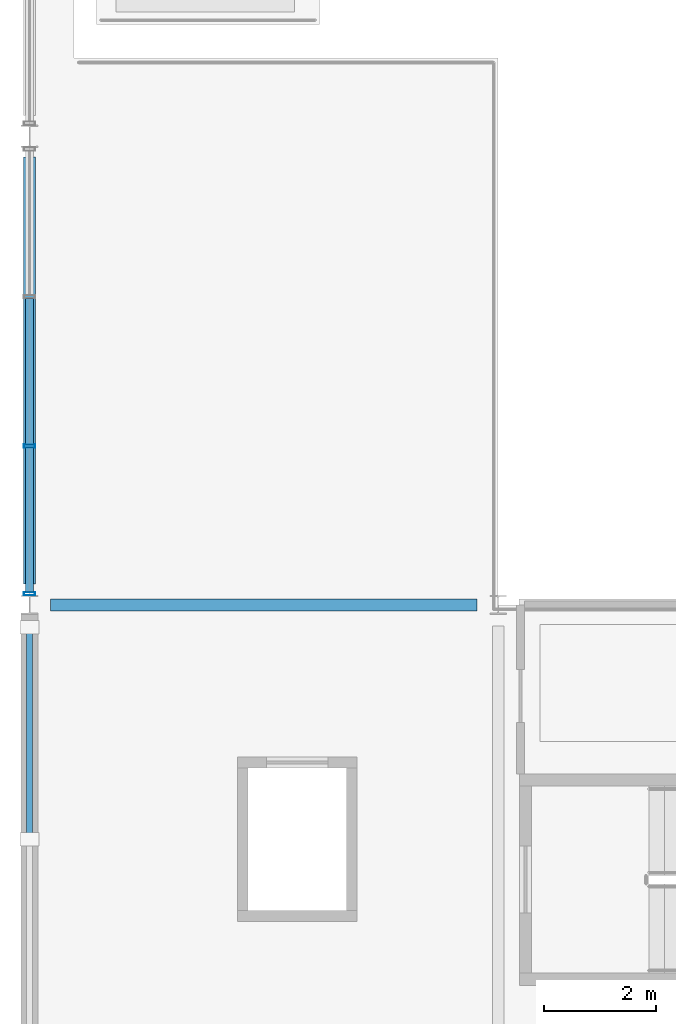
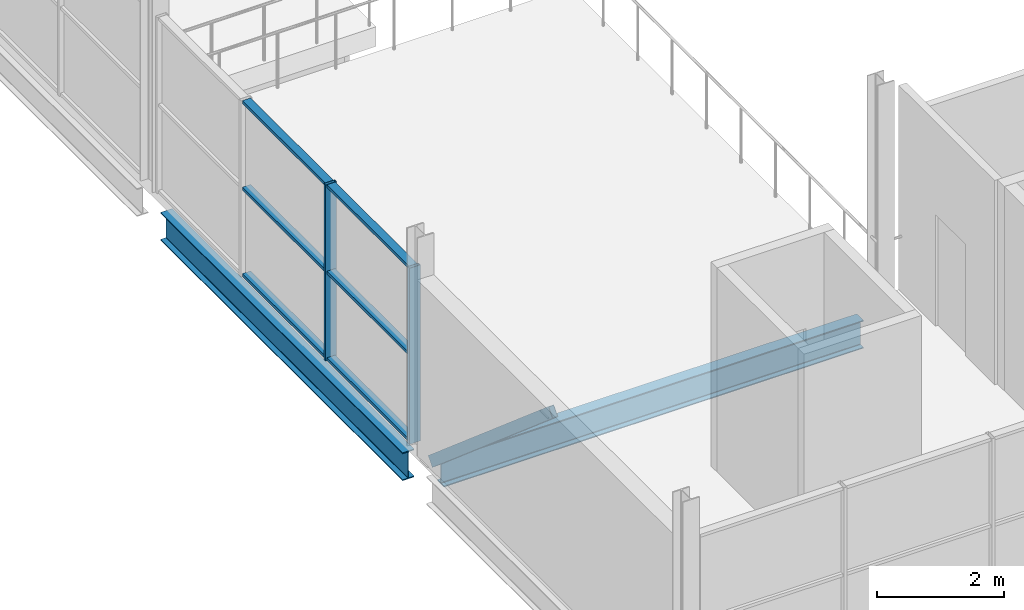
# One storey, part 24 of 161: 9 members, 2 beams, 1 element without a shape of its own.
"""IFC4 building model written with IfcOpenShell, lengths in metres."""

from ifc_helpers import new_model, si_unit, direction, frame, origin, origin_2d, place, context, subcontext, project, spatial, hollow_rectangle, i_section, extrude, material, material_profile, profile_set, type_object, element, aggregate, save


model = new_model("IFC4")

# Units and contexts
model_context = context("Model", 3, precision=1e-05, world=origin(), true_north=direction((0.0, 1.0)))
body_context = subcontext(model_context, "Body", "Model", "MODEL_VIEW")
ifc_project = project(units=[si_unit("LENGTHUNIT", "METRE"), si_unit("AREAUNIT", "SQUARE_METRE"), si_unit("VOLUMEUNIT", "CUBIC_METRE"), si_unit("PLANEANGLEUNIT", "RADIAN"), si_unit("MASSUNIT", "GRAM", prefix="KILO"), si_unit("THERMODYNAMICTEMPERATUREUNIT", "KELVIN")], contexts=[model_context])

# Site, building, storey
site_placement = place(None, origin())
site = spatial("IfcSite", under=ifc_project, at=site_placement, CompositionType="ELEMENT")
building_placement = place(site_placement, origin())
building = spatial("IfcBuilding", under=site, at=building_placement, Name="Nduvali Passage Aquatics Centre", CompositionType="ELEMENT")
storey_placement = place(building_placement, frame((0.0, 0.0, 4.800048828125)))
storey = spatial("IfcBuildingStorey", under=building, at=storey_placement, Name="L01", CompositionType="ELEMENT", Elevation=4.800048828125)

# Curtain wall, members
ifc_material_1 = material(Name="Aluminium EN AW-6063 T6", Category="aluminium")
curtain_wall_type = type_object("IfcCurtainWallType", Name="ENV-CW-DIVE", PredefinedType="NOTDEFINED", material=ifc_material_1)
curtain_wall_placement = place(storey_placement, origin())
curtain_wall = element("IfcCurtainWall", 1, at=curtain_wall_placement, inside=storey, type_object=curtain_wall_type, Name="L01 West Diving Tower Viewing CW 128", PredefinedType="NOTDEFINED")
ifc_material_profile_1 = material_profile(ifc_material_1, hollow_rectangle(XDim=0.06005859375, YDim=0.199951171875, WallThickness=0.00390625, at=origin_2d()), Name="ALU MULLION 60x200x4")
ifc_profile_set_1 = profile_set([ifc_material_profile_1], Name="Aluminium EN AW-6063 T6")
member_type_1 = type_object("IfcMemberType", Name="ENV-MEM-MUL80", PredefinedType="MULLION", material=ifc_profile_set_1)
member_1_placement = place(storey_placement, frame((0.0, 42.199951171875, 0.0), z_axis=(0.0, 0.0, 1.0), x_axis=(0.0, 1.0, 0.0)))
member_1 = element("IfcMember", 2, at=member_1_placement, type_object=member_type_1, Name="West Diving Tower Viewing CW Mullion 1", PredefinedType="MULLION", context=body_context, shape_type="SweptSolid", body=[
    extrude(hollow_rectangle(XDim=0.06005859375, YDim=0.199951171875, WallThickness=0.00390625, at=origin_2d()), origin(), (0.0, 0.0, 1.0), 3.396484375),
])
member_2_placement = place(storey_placement, frame((0.0, 44.8466796875, 0.0), z_axis=(0.0, 0.0, 1.0), x_axis=(0.0, 1.0, 0.0)))
member_2 = element("IfcMember", 3, at=member_2_placement, type_object=member_type_1, Name="West Diving Tower Viewing CW Mullion 2", PredefinedType="MULLION", context=body_context, shape_type="SweptSolid", body=[
    extrude(hollow_rectangle(XDim=0.06005859375, YDim=0.199951171875, WallThickness=0.00390625, at=origin_2d()), origin(), (0.0, 0.0, 1.0), 3.396484375),
])
ifc_material_profile_2 = material_profile(ifc_material_1, hollow_rectangle(XDim=0.14990234375, YDim=0.06005859375, WallThickness=0.00390625, at=origin_2d()), Name="ALU TRANSOM 150x60x4")
ifc_profile_set_2 = profile_set([ifc_material_profile_2], Name="Aluminium EN AW-6063 T6")
member_type_2 = type_object("IfcMemberType", Name="ENV-MEM-TRN80", PredefinedType="USERDEFINED", material=ifc_profile_set_2)
member_3_placement = place(storey_placement, frame((0.0, 42.22998046875, 0.030029296875), z_axis=(0.0, 1.0, 0.0), x_axis=(-1.0, 0.0, 0.0)))
member_3 = element("IfcMember", 4, at=member_3_placement, type_object=member_type_2, Name="West Diving Tower Viewing CW Transom B1-R0", ObjectType="TRANSOM", PredefinedType="USERDEFINED", context=body_context, shape_type="SweptSolid", body=[
    extrude(hollow_rectangle(XDim=0.14990234375, YDim=0.06005859375, WallThickness=0.00390625, at=origin_2d()), origin(), (0.0, 0.0, 1.0), 2.586669921875),
])
member_4_placement = place(storey_placement, frame((0.0, 42.22998046875, 1.6982421875), z_axis=(0.0, 1.0, 0.0), x_axis=(-1.0, 0.0, 0.0)))
member_4 = element("IfcMember", 5, at=member_4_placement, type_object=member_type_2, Name="West Diving Tower Viewing CW Transom B1-R1", ObjectType="TRANSOM", PredefinedType="USERDEFINED", context=body_context, shape_type="SweptSolid", body=[
    extrude(hollow_rectangle(XDim=0.14990234375, YDim=0.06005859375, WallThickness=0.00390625, at=origin_2d()), origin(), (0.0, 0.0, 1.0), 2.586669921875),
])
member_5_placement = place(storey_placement, frame((0.0, 42.22998046875, 3.366455078125), z_axis=(0.0, 1.0, 0.0), x_axis=(-1.0, 0.0, 0.0)))
member_5 = element("IfcMember", 6, at=member_5_placement, type_object=member_type_2, Name="West Diving Tower Viewing CW Transom B1-R2", ObjectType="TRANSOM", PredefinedType="USERDEFINED", context=body_context, shape_type="SweptSolid", body=[
    extrude(hollow_rectangle(XDim=0.14990234375, YDim=0.06005859375, WallThickness=0.00390625, at=origin_2d()), origin(), (0.0, 0.0, 1.0), 2.586669921875),
])
member_6_placement = place(storey_placement, frame((0.0, 44.876708984375, 0.030029296875), z_axis=(0.0, 1.0, 0.0), x_axis=(-1.0, 0.0, 0.0)))
member_6 = element("IfcMember", 7, at=member_6_placement, type_object=member_type_2, Name="West Diving Tower Viewing CW Transom B2-R0", ObjectType="TRANSOM", PredefinedType="USERDEFINED", context=body_context, shape_type="SweptSolid", body=[
    extrude(hollow_rectangle(XDim=0.14990234375, YDim=0.06005859375, WallThickness=0.00390625, at=origin_2d()), origin(), (0.0, 0.0, 1.0), 2.61669921875),
])
member_7_placement = place(storey_placement, frame((0.0, 44.876708984375, 1.6982421875), z_axis=(0.0, 1.0, 0.0), x_axis=(-1.0, 0.0, 0.0)))
member_7 = element("IfcMember", 8, at=member_7_placement, type_object=member_type_2, Name="West Diving Tower Viewing CW Transom B2-R1", ObjectType="TRANSOM", PredefinedType="USERDEFINED", context=body_context, shape_type="SweptSolid", body=[
    extrude(hollow_rectangle(XDim=0.14990234375, YDim=0.06005859375, WallThickness=0.00390625, at=origin_2d()), origin(), (0.0, 0.0, 1.0), 2.61669921875),
])
member_8_placement = place(storey_placement, frame((0.0, 44.876708984375, 3.366455078125), z_axis=(0.0, 1.0, 0.0), x_axis=(-1.0, 0.0, 0.0)))
member_8 = element("IfcMember", 9, at=member_8_placement, type_object=member_type_2, Name="West Diving Tower Viewing CW Transom B2-R2", ObjectType="TRANSOM", PredefinedType="USERDEFINED", context=body_context, shape_type="SweptSolid", body=[
    extrude(hollow_rectangle(XDim=0.14990234375, YDim=0.06005859375, WallThickness=0.00390625, at=origin_2d()), origin(), (0.0, 0.0, 1.0), 2.61669921875),
])
aggregate(curtain_wall, [member_1, member_2, member_3, member_4, member_5, member_6, member_7, member_8])

# Beams
ifc_material_2 = material(Name="Steel S355", Category="steel")
ifc_material_profile_3 = material_profile(ifc_material_2, i_section(OverallWidth=0.210693359375, OverallDepth=0.53955078125, WebThickness=0.01171875, FlangeThickness=0.018798828125, FilletRadius=0.0126953125, at=origin_2d()), Name="UKB 533x210x109")
ifc_profile_set_3 = profile_set([ifc_material_profile_3], Name="Steel S355")
beam_type_1 = type_object("IfcBeamType", Name="STR-BM-UKB533", PredefinedType="BEAM", material=ifc_profile_set_3)
beam_1_placement = place(storey_placement, frame((0.375, 42.0, -0.553955078125), z_axis=(1.0, 0.0, 0.0), x_axis=(0.0, 1.0, 0.0)))
element("IfcBeam", 10, at=beam_1_placement, inside=storey, type_object=beam_type_1, Name="L01 Primary X-Girder B6-0472", PredefinedType="BEAM", context=body_context, shape_type="SweptSolid", body=[
    extrude(i_section(OverallWidth=0.210693359375, OverallDepth=0.53955078125, WebThickness=0.01171875, FlangeThickness=0.018798828125, FilletRadius=0.0126953125, at=origin_2d()), origin(), (0.0, 0.0, 1.0), 7.64990234375),
])
ifc_material_profile_4 = material_profile(ifc_material_2, i_section(OverallWidth=0.210693359375, OverallDepth=0.53955078125, WebThickness=0.01171875, FlangeThickness=0.018798828125, FilletRadius=0.0126953125, at=origin_2d()), Name="UKB 533x210x109")
ifc_profile_set_4 = profile_set([ifc_material_profile_4], Name="Steel S355")
beam_type_2 = type_object("IfcBeamType", Name="STR-BM-UKB533-EXT", PredefinedType="BEAM", material=ifc_profile_set_4)
beam_2_placement = place(storey_placement, frame((0.0, 42.375, -0.553955078125), z_axis=(0.0, 1.0, 0.0), x_axis=(-1.0, 0.0, 0.0)))
element("IfcBeam", 11, at=beam_2_placement, inside=storey, type_object=beam_type_2, Name="L01 Primary Y-Girder B6E-0559", PredefinedType="BEAM", context=body_context, shape_type="SweptSolid", body=[
    extrude(i_section(OverallWidth=0.210693359375, OverallDepth=0.53955078125, WebThickness=0.01171875, FlangeThickness=0.018798828125, FilletRadius=0.0126953125, at=origin_2d()), origin(), (0.0, 0.0, 1.0), 7.64990234375),
])

# Member
ifc_material_profile_5 = material_profile(ifc_material_2, hollow_rectangle(XDim=0.10009765625, YDim=0.199951171875, WallThickness=0.00634765625, at=origin_2d()), Name="RHS 200x100x6.3")
ifc_profile_set_5 = profile_set([ifc_material_profile_5], Name="Steel S355")
member_type_3 = type_object("IfcMemberType", Name="STR-MEM-RHS200", PredefinedType="BRACE", material=ifc_profile_set_5)
member_9_placement = place(storey_placement, frame((0.0, 41.60009765625, 0.0), z_axis=(0.0, -0.759966128162, 0.649962678965), x_axis=(1.0, 0.0, 0.0)))
element("IfcMember", 12, at=member_9_placement, inside=storey, type_object=member_type_3, Name="L01 Chevron Frame Brace 2R", PredefinedType="BRACE", context=body_context, shape_type="SweptSolid", body=[
    extrude(hollow_rectangle(XDim=0.10009765625, YDim=0.199951171875, WallThickness=0.00634765625, at=origin_2d()), origin(), (0.0, 0.0, 1.0), 5.000244140625),
])

save(model, "model.ifc")
